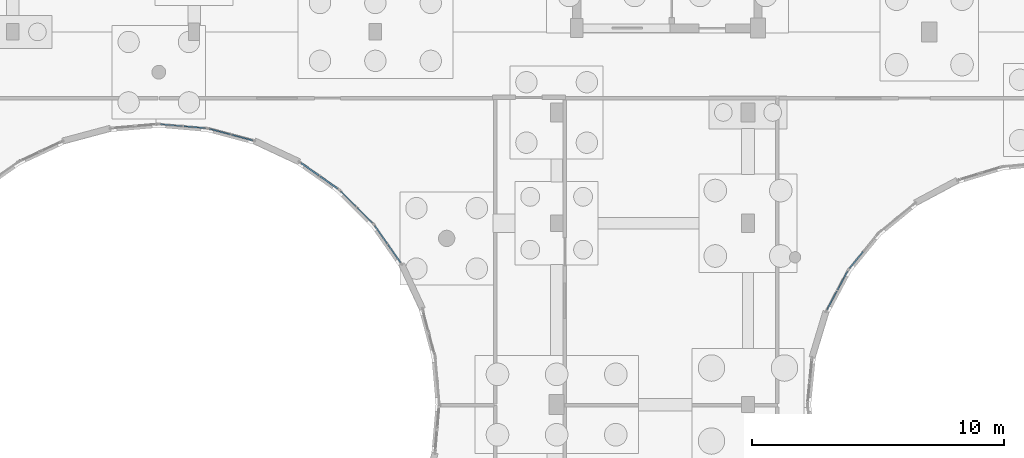
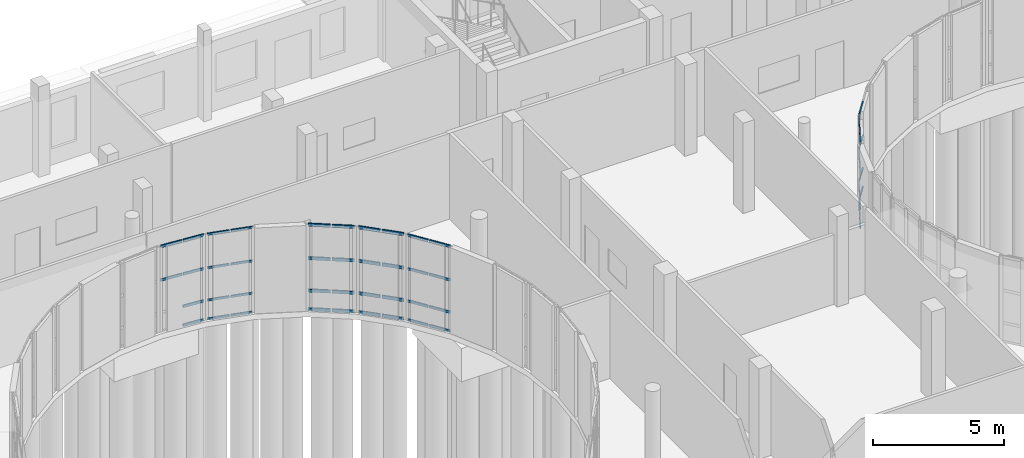
# One storey, part 45 of 93: 50 members, 7 elements without a shape of their own.
"""IFC4 building model written with IfcOpenShell, lengths in metres."""

from ifc_helpers import new_model, si_unit, direction, frame, origin, origin_2d, place, context, subcontext, project, spatial, hollow_rectangle, extrude, material, layer, layer_set, material_profile, profile_set, type_object, element, aggregate, save


model = new_model("IFC4")

# Units and contexts
model_context = context("Model", 3, precision=1e-05, world=origin(), true_north=direction((0.0, 1.0)))
body_context = subcontext(model_context, "Body", "Model", "MODEL_VIEW")
ifc_project = project(units=[si_unit("LENGTHUNIT", "METRE"), si_unit("AREAUNIT", "SQUARE_METRE"), si_unit("VOLUMEUNIT", "CUBIC_METRE"), si_unit("PLANEANGLEUNIT", "RADIAN"), si_unit("MASSUNIT", "GRAM", prefix="KILO")], contexts=[model_context])

# Site, building, storey
site_placement = place(None, origin())
site = spatial("IfcSite", under=ifc_project, at=site_placement, CompositionType="ELEMENT")
building_placement = place(site_placement, origin())
building = spatial("IfcBuilding", under=site, at=building_placement, Name="Kelanivale Promenade Academy", CompositionType="ELEMENT")
storey_placement = place(building_placement, origin())
storey = spatial("IfcBuildingStorey", under=building, at=storey_placement, Name="L00", CompositionType="ELEMENT", Elevation=0.0)

# Curtain wall, members
ifc_material_1 = material(Name="Bronze anodised aluminium and solar-control low-E glass", Category="aluminium")
ifc_layer_1 = layer(ifc_material_1, 0.159912109375)
ifc_layer_set_1 = layer_set([ifc_layer_1], Name="Bronze anodised aluminium and solar-control low-E glass")
curtain_wall_type_1 = type_object("IfcCurtainWallType", Name="CW-09 Curtain Wall 1650mm Module", PredefinedType="USERDEFINED", material=ifc_layer_set_1)
curtain_wall_1_placement = place(storey_placement, origin())
curtain_wall_1 = element("IfcCurtainWall", 1, at=curtain_wall_1_placement, inside=storey, type_object=curtain_wall_type_1, Name="L00 courtyard curtain wall CW-09", ObjectType="UNITISED GLAZING", PredefinedType="USERDEFINED")
ifc_material_2 = material(Name="Bronze anodised aluminium EN AW-6063 T6", Category="aluminium")
ifc_material_profile_1 = material_profile(ifc_material_2, hollow_rectangle(XDim=0.050048828125, YDim=0.10009765625, WallThickness=0.0029296875, at=origin_2d()), Name="ALU 50x100x3.0")
ifc_profile_set_1 = profile_set([ifc_material_profile_1], Name="Bronze anodised aluminium EN AW-6063 T6")
member_type_1 = type_object("IfcMemberType", Name="CWT-01 ALU 50x100x3.0", PredefinedType="USERDEFINED", material=ifc_profile_set_1)
member_1_placement = place(storey_placement, frame((91.364501953125, 62.86376953125, 0.02490234375), z_axis=(-0.634169827677, -0.773193785324, 0.0), x_axis=(0.773193785324, -0.634169827677, 0.0)))
member_1 = element("IfcMember", 2, at=member_1_placement, type_object=member_type_1, Name="CW-09 transom 2.1", ObjectType="TRANSOM", PredefinedType="USERDEFINED", context=body_context, shape_type="SweptSolid", body=[
    extrude(hollow_rectangle(XDim=0.050048828125, YDim=0.10009765625, WallThickness=0.0029296875, at=origin_2d()), origin(), (0.0, 0.0, 1.0), 0.841064453125),
])
member_2_placement = place(storey_placement, frame((91.364501953125, 62.86376953125, 0.89990234375), z_axis=(-0.634169827677, -0.773193785324, 0.0), x_axis=(0.773193785324, -0.634169827677, 0.0)))
member_2 = element("IfcMember", 3, at=member_2_placement, type_object=member_type_1, Name="CW-09 transom 2.2", ObjectType="TRANSOM", PredefinedType="USERDEFINED", context=body_context, shape_type="SweptSolid", body=[
    extrude(hollow_rectangle(XDim=0.050048828125, YDim=0.10009765625, WallThickness=0.0029296875, at=origin_2d()), origin(), (0.0, 0.0, 1.0), 0.841064453125),
])
member_3_placement = place(storey_placement, frame((91.364501953125, 62.86376953125, 2.39990234375), z_axis=(-0.634169827677, -0.773193785324, 0.0), x_axis=(0.773193785324, -0.634169827677, 0.0)))
member_3 = element("IfcMember", 4, at=member_3_placement, type_object=member_type_1, Name="CW-09 transom 2.3", ObjectType="TRANSOM", PredefinedType="USERDEFINED", context=body_context, shape_type="SweptSolid", body=[
    extrude(hollow_rectangle(XDim=0.050048828125, YDim=0.10009765625, WallThickness=0.0029296875, at=origin_2d()), origin(), (0.0, 0.0, 1.0), 0.841064453125),
])
member_4_placement = place(storey_placement, frame((91.364501953125, 62.86376953125, 3.955078125), z_axis=(-0.634169827677, -0.773193785324, 0.0), x_axis=(0.773193785324, -0.634169827677, 0.0)))
member_4 = element("IfcMember", 5, at=member_4_placement, type_object=member_type_1, Name="CW-09 transom 2.4", ObjectType="TRANSOM", PredefinedType="USERDEFINED", context=body_context, shape_type="SweptSolid", body=[
    extrude(hollow_rectangle(XDim=0.050048828125, YDim=0.10009765625, WallThickness=0.0029296875, at=origin_2d()), origin(), (0.0, 0.0, 1.0), 0.841064453125),
])
aggregate(curtain_wall_1, [member_1, member_2, member_3, member_4])

ifc_layer_2 = layer(ifc_material_1, 0.179931640625)
ifc_layer_set_2 = layer_set([ifc_layer_2], Name="Bronze anodised aluminium and solar-control low-E glass")
curtain_wall_type_2 = type_object("IfcCurtainWallType", Name="CW-05 Curtain Wall 1950mm Module", PredefinedType="USERDEFINED", material=ifc_layer_set_2)
curtain_wall_2_placement = place(storey_placement, origin())
curtain_wall_2 = element("IfcCurtainWall", 6, at=curtain_wall_2_placement, inside=storey, type_object=curtain_wall_type_2, Name="L00 courtyard curtain wall CW-05", ObjectType="UNITISED GLAZING", PredefinedType="USERDEFINED")
member_5_placement = place(storey_placement, frame((67.1259765625, 67.29150390625, 0.02490234375), z_axis=(-0.966008746817, 0.258509382951, 0.0), x_axis=(-0.258509382951, -0.966008746817, 0.0)))
member_5 = element("IfcMember", 7, at=member_5_placement, type_object=member_type_1, Name="CW-05 transom 1.1", ObjectType="TRANSOM", PredefinedType="USERDEFINED", context=body_context, shape_type="SweptSolid", body=[
    extrude(hollow_rectangle(XDim=0.050048828125, YDim=0.10009765625, WallThickness=0.0029296875, at=origin_2d()), origin(), (0.0, 0.0, 1.0), 0.861328125),
])
member_6_placement = place(storey_placement, frame((67.1259765625, 67.29150390625, 0.89990234375), z_axis=(-0.966008746817, 0.258509382951, 0.0), x_axis=(-0.258509382951, -0.966008746817, 0.0)))
member_6 = element("IfcMember", 8, at=member_6_placement, type_object=member_type_1, Name="CW-05 transom 1.2", ObjectType="TRANSOM", PredefinedType="USERDEFINED", context=body_context, shape_type="SweptSolid", body=[
    extrude(hollow_rectangle(XDim=0.050048828125, YDim=0.10009765625, WallThickness=0.0029296875, at=origin_2d()), origin(), (0.0, 0.0, 1.0), 0.861328125),
])
member_7_placement = place(storey_placement, frame((67.1259765625, 67.29150390625, 2.39990234375), z_axis=(-0.966008746817, 0.258509382951, 0.0), x_axis=(-0.258509382951, -0.966008746817, 0.0)))
member_7 = element("IfcMember", 9, at=member_7_placement, type_object=member_type_1, Name="CW-05 transom 1.3", ObjectType="TRANSOM", PredefinedType="USERDEFINED", context=body_context, shape_type="SweptSolid", body=[
    extrude(hollow_rectangle(XDim=0.050048828125, YDim=0.10009765625, WallThickness=0.0029296875, at=origin_2d()), origin(), (0.0, 0.0, 1.0), 0.861328125),
])
member_8_placement = place(storey_placement, frame((67.1259765625, 67.29150390625, 3.955078125), z_axis=(-0.966008746817, 0.258509382951, 0.0), x_axis=(-0.258509382951, -0.966008746817, 0.0)))
member_8 = element("IfcMember", 10, at=member_8_placement, type_object=member_type_1, Name="CW-05 transom 1.4", ObjectType="TRANSOM", PredefinedType="USERDEFINED", context=body_context, shape_type="SweptSolid", body=[
    extrude(hollow_rectangle(XDim=0.050048828125, YDim=0.10009765625, WallThickness=0.0029296875, at=origin_2d()), origin(), (0.0, 0.0, 1.0), 0.861328125),
])
member_9_placement = place(storey_placement, frame((66.236083984375, 67.52978515625, 0.02490234375), z_axis=(-0.966008746817, 0.258509382951, 0.0), x_axis=(-0.258509382951, -0.966008746817, 0.0)))
member_9 = element("IfcMember", 11, at=member_9_placement, type_object=member_type_1, Name="CW-05 transom 2.1", ObjectType="TRANSOM", PredefinedType="USERDEFINED", context=body_context, shape_type="SweptSolid", body=[
    extrude(hollow_rectangle(XDim=0.050048828125, YDim=0.10009765625, WallThickness=0.0029296875, at=origin_2d()), origin(), (0.0, 0.0, 1.0), 0.861328125),
])
member_10_placement = place(storey_placement, frame((66.236083984375, 67.52978515625, 0.89990234375), z_axis=(-0.966008746817, 0.258509382951, 0.0), x_axis=(-0.258509382951, -0.966008746817, 0.0)))
member_10 = element("IfcMember", 12, at=member_10_placement, type_object=member_type_1, Name="CW-05 transom 2.2", ObjectType="TRANSOM", PredefinedType="USERDEFINED", context=body_context, shape_type="SweptSolid", body=[
    extrude(hollow_rectangle(XDim=0.050048828125, YDim=0.10009765625, WallThickness=0.0029296875, at=origin_2d()), origin(), (0.0, 0.0, 1.0), 0.861328125),
])
member_11_placement = place(storey_placement, frame((66.236083984375, 67.52978515625, 2.39990234375), z_axis=(-0.966008746817, 0.258509382951, 0.0), x_axis=(-0.258509382951, -0.966008746817, 0.0)))
member_11 = element("IfcMember", 13, at=member_11_placement, type_object=member_type_1, Name="CW-05 transom 2.3", ObjectType="TRANSOM", PredefinedType="USERDEFINED", context=body_context, shape_type="SweptSolid", body=[
    extrude(hollow_rectangle(XDim=0.050048828125, YDim=0.10009765625, WallThickness=0.0029296875, at=origin_2d()), origin(), (0.0, 0.0, 1.0), 0.861328125),
])
member_12_placement = place(storey_placement, frame((66.236083984375, 67.52978515625, 3.955078125), z_axis=(-0.966008746817, 0.258509382951, 0.0), x_axis=(-0.258509382951, -0.966008746817, 0.0)))
member_12 = element("IfcMember", 14, at=member_12_placement, type_object=member_type_1, Name="CW-05 transom 2.4", ObjectType="TRANSOM", PredefinedType="USERDEFINED", context=body_context, shape_type="SweptSolid", body=[
    extrude(hollow_rectangle(XDim=0.050048828125, YDim=0.10009765625, WallThickness=0.0029296875, at=origin_2d()), origin(), (0.0, 0.0, 1.0), 0.861328125),
])
aggregate(curtain_wall_2, [member_5, member_6, member_7, member_8, member_9, member_10, member_11, member_12])

ifc_layer_3 = layer(ifc_material_1, 0.169921875)
ifc_layer_set_3 = layer_set([ifc_layer_3], Name="Bronze anodised aluminium and solar-control low-E glass")
curtain_wall_type_3 = type_object("IfcCurtainWallType", Name="CW-10 Curtain Wall 1800mm Module", PredefinedType="USERDEFINED", material=ifc_layer_set_3)
curtain_wall_3_placement = place(storey_placement, origin())
curtain_wall_3 = element("IfcCurtainWall", 15, at=curtain_wall_3_placement, inside=storey, type_object=curtain_wall_type_3, Name="L00 courtyard curtain wall CW-10", ObjectType="UNITISED GLAZING", PredefinedType="USERDEFINED")
ifc_material_profile_2 = material_profile(ifc_material_2, hollow_rectangle(XDim=0.050048828125, YDim=0.1201171875, WallThickness=0.0029296875, at=origin_2d()), Name="ALU 50x120x3.0")
ifc_profile_set_2 = profile_set([ifc_material_profile_2], Name="Bronze anodised aluminium EN AW-6063 T6")
member_type_2 = type_object("IfcMemberType", Name="CWT-02 ALU 50x120x3.0", PredefinedType="USERDEFINED", material=ifc_profile_set_2)
member_13_placement = place(storey_placement, frame((90.749755859375, 62.091064453125, 0.02490234375), z_axis=(-0.471286980873, -0.881979921347, 0.0), x_axis=(0.881979921347, -0.471286980873, 0.0)))
member_13 = element("IfcMember", 16, at=member_13_placement, type_object=member_type_2, Name="CW-10 transom 1.1", ObjectType="TRANSOM", PredefinedType="USERDEFINED", context=body_context, shape_type="SweptSolid", body=[
    extrude(hollow_rectangle(XDim=0.050048828125, YDim=0.1201171875, WallThickness=0.0029296875, at=origin_2d()), origin(), (0.0, 0.0, 1.0), 0.833984375),
])
member_14_placement = place(storey_placement, frame((90.749755859375, 62.091064453125, 0.89990234375), z_axis=(-0.471286980873, -0.881979921347, 0.0), x_axis=(0.881979921347, -0.471286980873, 0.0)))
member_14 = element("IfcMember", 17, at=member_14_placement, type_object=member_type_2, Name="CW-10 transom 1.2", ObjectType="TRANSOM", PredefinedType="USERDEFINED", context=body_context, shape_type="SweptSolid", body=[
    extrude(hollow_rectangle(XDim=0.050048828125, YDim=0.1201171875, WallThickness=0.0029296875, at=origin_2d()), origin(), (0.0, 0.0, 1.0), 0.833984375),
])
member_15_placement = place(storey_placement, frame((90.749755859375, 62.091064453125, 2.39990234375), z_axis=(-0.471286980873, -0.881979921347, 0.0), x_axis=(0.881979921347, -0.471286980873, 0.0)))
member_15 = element("IfcMember", 18, at=member_15_placement, type_object=member_type_2, Name="CW-10 transom 1.3", ObjectType="TRANSOM", PredefinedType="USERDEFINED", context=body_context, shape_type="SweptSolid", body=[
    extrude(hollow_rectangle(XDim=0.050048828125, YDim=0.1201171875, WallThickness=0.0029296875, at=origin_2d()), origin(), (0.0, 0.0, 1.0), 0.833984375),
])
member_16_placement = place(storey_placement, frame((90.749755859375, 62.091064453125, 3.955078125), z_axis=(-0.471286980873, -0.881979921347, 0.0), x_axis=(0.881979921347, -0.471286980873, 0.0)))
member_16 = element("IfcMember", 19, at=member_16_placement, type_object=member_type_2, Name="CW-10 transom 1.4", ObjectType="TRANSOM", PredefinedType="USERDEFINED", context=body_context, shape_type="SweptSolid", body=[
    extrude(hollow_rectangle(XDim=0.050048828125, YDim=0.1201171875, WallThickness=0.0029296875, at=origin_2d()), origin(), (0.0, 0.0, 1.0), 0.833984375),
])
member_17_placement = place(storey_placement, frame((90.328369140625, 61.302490234375, 0.02490234375), z_axis=(-0.471286980873, -0.881979921347, 0.0), x_axis=(0.881979921347, -0.471286980873, 0.0)))
member_17 = element("IfcMember", 20, at=member_17_placement, type_object=member_type_2, Name="CW-10 transom 2.1", ObjectType="TRANSOM", PredefinedType="USERDEFINED", context=body_context, shape_type="SweptSolid", body=[
    extrude(hollow_rectangle(XDim=0.050048828125, YDim=0.1201171875, WallThickness=0.0029296875, at=origin_2d()), origin(), (0.0, 0.0, 1.0), 0.833984375),
])
member_18_placement = place(storey_placement, frame((90.328369140625, 61.302490234375, 0.89990234375), z_axis=(-0.471286980873, -0.881979921347, 0.0), x_axis=(0.881979921347, -0.471286980873, 0.0)))
member_18 = element("IfcMember", 21, at=member_18_placement, type_object=member_type_2, Name="CW-10 transom 2.2", ObjectType="TRANSOM", PredefinedType="USERDEFINED", context=body_context, shape_type="SweptSolid", body=[
    extrude(hollow_rectangle(XDim=0.050048828125, YDim=0.1201171875, WallThickness=0.0029296875, at=origin_2d()), origin(), (0.0, 0.0, 1.0), 0.833984375),
])
member_19_placement = place(storey_placement, frame((90.328369140625, 61.302490234375, 2.39990234375), z_axis=(-0.471286980873, -0.881979921347, 0.0), x_axis=(0.881979921347, -0.471286980873, 0.0)))
member_19 = element("IfcMember", 22, at=member_19_placement, type_object=member_type_2, Name="CW-10 transom 2.3", ObjectType="TRANSOM", PredefinedType="USERDEFINED", context=body_context, shape_type="SweptSolid", body=[
    extrude(hollow_rectangle(XDim=0.050048828125, YDim=0.1201171875, WallThickness=0.0029296875, at=origin_2d()), origin(), (0.0, 0.0, 1.0), 0.833984375),
])
member_20_placement = place(storey_placement, frame((90.328369140625, 61.302490234375, 3.955078125), z_axis=(-0.471286980873, -0.881979921347, 0.0), x_axis=(0.881979921347, -0.471286980873, 0.0)))
member_20 = element("IfcMember", 23, at=member_20_placement, type_object=member_type_2, Name="CW-10 transom 2.4", ObjectType="TRANSOM", PredefinedType="USERDEFINED", context=body_context, shape_type="SweptSolid", body=[
    extrude(hollow_rectangle(XDim=0.050048828125, YDim=0.1201171875, WallThickness=0.0029296875, at=origin_2d()), origin(), (0.0, 0.0, 1.0), 0.833984375),
])
aggregate(curtain_wall_3, [member_13, member_14, member_15, member_16, member_17, member_18, member_19, member_20])

ifc_layer_4 = layer(ifc_material_1, 0.179931640625)
ifc_layer_set_4 = layer_set([ifc_layer_4], Name="Bronze anodised aluminium and solar-control low-E glass")
curtain_wall_type_4 = type_object("IfcCurtainWallType", Name="CW-02 Curtain Wall 1500mm Module", PredefinedType="USERDEFINED", material=ifc_layer_set_4)
curtain_wall_4_placement = place(storey_placement, origin())
curtain_wall_4 = element("IfcCurtainWall", 24, at=curtain_wall_4_placement, inside=storey, type_object=curtain_wall_type_4, Name="L00 courtyard curtain wall CW-02", ObjectType="UNITISED GLAZING", PredefinedType="USERDEFINED")
member_21_placement = place(storey_placement, frame((72.99755859375, 62.441162109375, 0.02490234375), z_axis=(-0.573329193297, 0.819325110144, 0.0), x_axis=(-0.819325110144, -0.573329193297, 0.0)))
member_21 = element("IfcMember", 25, at=member_21_placement, type_object=member_type_2, Name="CW-02 transom 1.1", ObjectType="TRANSOM", PredefinedType="USERDEFINED", context=body_context, shape_type="SweptSolid", body=[
    extrude(hollow_rectangle(XDim=0.050048828125, YDim=0.1201171875, WallThickness=0.0029296875, at=origin_2d()), origin(), (0.0, 0.0, 1.0), 0.861572265625),
])
member_22_placement = place(storey_placement, frame((72.99755859375, 62.441162109375, 0.89990234375), z_axis=(-0.573329193297, 0.819325110144, 0.0), x_axis=(-0.819325110144, -0.573329193297, 0.0)))
member_22 = element("IfcMember", 26, at=member_22_placement, type_object=member_type_2, Name="CW-02 transom 1.2", ObjectType="TRANSOM", PredefinedType="USERDEFINED", context=body_context, shape_type="SweptSolid", body=[
    extrude(hollow_rectangle(XDim=0.050048828125, YDim=0.1201171875, WallThickness=0.0029296875, at=origin_2d()), origin(), (0.0, 0.0, 1.0), 0.861572265625),
])
member_23_placement = place(storey_placement, frame((72.99755859375, 62.441162109375, 2.39990234375), z_axis=(-0.573329193297, 0.819325110144, 0.0), x_axis=(-0.819325110144, -0.573329193297, 0.0)))
member_23 = element("IfcMember", 27, at=member_23_placement, type_object=member_type_2, Name="CW-02 transom 1.3", ObjectType="TRANSOM", PredefinedType="USERDEFINED", context=body_context, shape_type="SweptSolid", body=[
    extrude(hollow_rectangle(XDim=0.050048828125, YDim=0.1201171875, WallThickness=0.0029296875, at=origin_2d()), origin(), (0.0, 0.0, 1.0), 0.861572265625),
])
member_24_placement = place(storey_placement, frame((72.99755859375, 62.441162109375, 3.955078125), z_axis=(-0.573329193297, 0.819325110144, 0.0), x_axis=(-0.819325110144, -0.573329193297, 0.0)))
member_24 = element("IfcMember", 28, at=member_24_placement, type_object=member_type_2, Name="CW-02 transom 1.4", ObjectType="TRANSOM", PredefinedType="USERDEFINED", context=body_context, shape_type="SweptSolid", body=[
    extrude(hollow_rectangle(XDim=0.050048828125, YDim=0.1201171875, WallThickness=0.0029296875, at=origin_2d()), origin(), (0.0, 0.0, 1.0), 0.861572265625),
])
member_25_placement = place(storey_placement, frame((72.46923828125, 63.196044921875, 0.02490234375), z_axis=(-0.573329193297, 0.819325110144, 0.0), x_axis=(-0.819325110144, -0.573329193297, 0.0)))
member_25 = element("IfcMember", 29, at=member_25_placement, type_object=member_type_2, Name="CW-02 transom 2.1", ObjectType="TRANSOM", PredefinedType="USERDEFINED", context=body_context, shape_type="SweptSolid", body=[
    extrude(hollow_rectangle(XDim=0.050048828125, YDim=0.1201171875, WallThickness=0.0029296875, at=origin_2d()), origin(), (0.0, 0.0, 1.0), 0.861572265625),
])
member_26_placement = place(storey_placement, frame((72.46923828125, 63.196044921875, 0.89990234375), z_axis=(-0.573329193297, 0.819325110144, 0.0), x_axis=(-0.819325110144, -0.573329193297, 0.0)))
member_26 = element("IfcMember", 30, at=member_26_placement, type_object=member_type_2, Name="CW-02 transom 2.2", ObjectType="TRANSOM", PredefinedType="USERDEFINED", context=body_context, shape_type="SweptSolid", body=[
    extrude(hollow_rectangle(XDim=0.050048828125, YDim=0.1201171875, WallThickness=0.0029296875, at=origin_2d()), origin(), (0.0, 0.0, 1.0), 0.861572265625),
])
member_27_placement = place(storey_placement, frame((72.46923828125, 63.196044921875, 2.39990234375), z_axis=(-0.573329193297, 0.819325110144, 0.0), x_axis=(-0.819325110144, -0.573329193297, 0.0)))
member_27 = element("IfcMember", 31, at=member_27_placement, type_object=member_type_2, Name="CW-02 transom 2.3", ObjectType="TRANSOM", PredefinedType="USERDEFINED", context=body_context, shape_type="SweptSolid", body=[
    extrude(hollow_rectangle(XDim=0.050048828125, YDim=0.1201171875, WallThickness=0.0029296875, at=origin_2d()), origin(), (0.0, 0.0, 1.0), 0.861572265625),
])
member_28_placement = place(storey_placement, frame((72.46923828125, 63.196044921875, 3.955078125), z_axis=(-0.573329193297, 0.819325110144, 0.0), x_axis=(-0.819325110144, -0.573329193297, 0.0)))
member_28 = element("IfcMember", 32, at=member_28_placement, type_object=member_type_2, Name="CW-02 transom 2.4", ObjectType="TRANSOM", PredefinedType="USERDEFINED", context=body_context, shape_type="SweptSolid", body=[
    extrude(hollow_rectangle(XDim=0.050048828125, YDim=0.1201171875, WallThickness=0.0029296875, at=origin_2d()), origin(), (0.0, 0.0, 1.0), 0.861572265625),
])
aggregate(curtain_wall_4, [member_21, member_22, member_23, member_24, member_25, member_26, member_27, member_28])

ifc_layer_5 = layer(ifc_material_1, 0.159912109375)
ifc_layer_set_5 = layer_set([ifc_layer_5], Name="Bronze anodised aluminium and solar-control low-E glass")
curtain_wall_type_5 = type_object("IfcCurtainWallType", Name="CW-06 Curtain Wall 1200mm Module", PredefinedType="USERDEFINED", material=ifc_layer_set_5)
curtain_wall_5_placement = place(storey_placement, origin())
curtain_wall_5 = element("IfcCurtainWall", 33, at=curtain_wall_5_placement, inside=storey, type_object=curtain_wall_type_5, Name="L00 courtyard curtain wall CW-06", ObjectType="UNITISED GLAZING", PredefinedType="USERDEFINED")
member_29_placement = place(storey_placement, frame((65.26220703125, 67.77734375, 0.02490234375), z_axis=(-0.996220520594, 0.086860084894, 0.0), x_axis=(-0.086860084894, -0.996220520594, 0.0)))
member_29 = element("IfcMember", 34, at=member_29_placement, type_object=member_type_2, Name="CW-06 transom 1.1", ObjectType="TRANSOM", PredefinedType="USERDEFINED", context=body_context, shape_type="SweptSolid", body=[
    extrude(hollow_rectangle(XDim=0.050048828125, YDim=0.1201171875, WallThickness=0.0029296875, at=origin_2d()), origin(), (0.0, 0.0, 1.0), 0.868408203125),
])
member_30_placement = place(storey_placement, frame((65.26220703125, 67.77734375, 0.89990234375), z_axis=(-0.996220520594, 0.086860084894, 0.0), x_axis=(-0.086860084894, -0.996220520594, 0.0)))
member_30 = element("IfcMember", 35, at=member_30_placement, type_object=member_type_2, Name="CW-06 transom 1.2", ObjectType="TRANSOM", PredefinedType="USERDEFINED", context=body_context, shape_type="SweptSolid", body=[
    extrude(hollow_rectangle(XDim=0.050048828125, YDim=0.1201171875, WallThickness=0.0029296875, at=origin_2d()), origin(), (0.0, 0.0, 1.0), 0.868408203125),
])
member_31_placement = place(storey_placement, frame((65.26220703125, 67.77734375, 2.39990234375), z_axis=(-0.996220520594, 0.086860084894, 0.0), x_axis=(-0.086860084894, -0.996220520594, 0.0)))
member_31 = element("IfcMember", 36, at=member_31_placement, type_object=member_type_2, Name="CW-06 transom 1.3", ObjectType="TRANSOM", PredefinedType="USERDEFINED", context=body_context, shape_type="SweptSolid", body=[
    extrude(hollow_rectangle(XDim=0.050048828125, YDim=0.1201171875, WallThickness=0.0029296875, at=origin_2d()), origin(), (0.0, 0.0, 1.0), 0.868408203125),
])
member_32_placement = place(storey_placement, frame((65.26220703125, 67.77734375, 3.955078125), z_axis=(-0.996220520594, 0.086860084894, 0.0), x_axis=(-0.086860084894, -0.996220520594, 0.0)))
member_32 = element("IfcMember", 37, at=member_32_placement, type_object=member_type_2, Name="CW-06 transom 1.4", ObjectType="TRANSOM", PredefinedType="USERDEFINED", context=body_context, shape_type="SweptSolid", body=[
    extrude(hollow_rectangle(XDim=0.050048828125, YDim=0.1201171875, WallThickness=0.0029296875, at=origin_2d()), origin(), (0.0, 0.0, 1.0), 0.868408203125),
])
member_33_placement = place(storey_placement, frame((64.337158203125, 67.858154296875, 2.39990234375), z_axis=(-0.996198291496, 0.087114660187, 0.0), x_axis=(-0.087114660187, -0.996198291496, 0.0)))
member_33 = element("IfcMember", 38, at=member_33_placement, type_object=member_type_2, Name="CW-06 transom 2.3", ObjectType="TRANSOM", PredefinedType="USERDEFINED", context=body_context, shape_type="SweptSolid", body=[
    extrude(hollow_rectangle(XDim=0.050048828125, YDim=0.1201171875, WallThickness=0.0029296875, at=origin_2d()), origin(), (0.0, 0.0, 1.0), 0.868896484375),
])
member_34_placement = place(storey_placement, frame((64.337158203125, 67.858154296875, 3.955078125), z_axis=(-0.996198291496, 0.087114660187, 0.0), x_axis=(-0.087114660187, -0.996198291496, 0.0)))
member_34 = element("IfcMember", 39, at=member_34_placement, type_object=member_type_2, Name="CW-06 transom 2.4", ObjectType="TRANSOM", PredefinedType="USERDEFINED", context=body_context, shape_type="SweptSolid", body=[
    extrude(hollow_rectangle(XDim=0.050048828125, YDim=0.1201171875, WallThickness=0.0029296875, at=origin_2d()), origin(), (0.0, 0.0, 1.0), 0.868896484375),
])
aggregate(curtain_wall_5, [member_29, member_30, member_31, member_32, member_33, member_34])

ifc_layer_6 = layer(ifc_material_1, 0.159912109375)
ifc_layer_set_6 = layer_set([ifc_layer_6], Name="Bronze anodised aluminium and solar-control low-E glass")
curtain_wall_type_6 = type_object("IfcCurtainWallType", Name="CW-03 Curtain Wall 1650mm Module", PredefinedType="USERDEFINED", material=ifc_layer_set_6)
curtain_wall_6_placement = place(storey_placement, origin())
curtain_wall_6 = element("IfcCurtainWall", 40, at=curtain_wall_6_placement, inside=storey, type_object=curtain_wall_type_6, Name="L00 courtyard curtain wall CW-03", ObjectType="UNITISED GLAZING", PredefinedType="USERDEFINED")
ifc_material_profile_3 = material_profile(ifc_material_2, hollow_rectangle(XDim=0.050048828125, YDim=0.14990234375, WallThickness=0.00341796875, at=origin_2d()), Name="ALU 50x150x3.5")
ifc_profile_set_3 = profile_set([ifc_material_profile_3], Name="Bronze anodised aluminium EN AW-6063 T6")
member_type_3 = type_object("IfcMemberType", Name="CWT-03 ALU 50x150x3.5", PredefinedType="USERDEFINED", material=ifc_profile_set_3)
member_35_placement = place(storey_placement, frame((71.879150390625, 64.015869140625, 0.02490234375), z_axis=(-0.707106781187, 0.707106781187, 0.0), x_axis=(-0.707106781187, -0.707106781187, 0.0)))
member_35 = element("IfcMember", 41, at=member_35_placement, type_object=member_type_3, Name="CW-03 transom 1.1", ObjectType="TRANSOM", PredefinedType="USERDEFINED", context=body_context, shape_type="SweptSolid", body=[
    extrude(hollow_rectangle(XDim=0.050048828125, YDim=0.14990234375, WallThickness=0.00341796875, at=origin_2d()), origin(), (0.0, 0.0, 1.0), 0.86083984375),
])
member_36_placement = place(storey_placement, frame((71.879150390625, 64.015869140625, 0.89990234375), z_axis=(-0.707106781187, 0.707106781187, 0.0), x_axis=(-0.707106781187, -0.707106781187, 0.0)))
member_36 = element("IfcMember", 42, at=member_36_placement, type_object=member_type_3, Name="CW-03 transom 1.2", ObjectType="TRANSOM", PredefinedType="USERDEFINED", context=body_context, shape_type="SweptSolid", body=[
    extrude(hollow_rectangle(XDim=0.050048828125, YDim=0.14990234375, WallThickness=0.00341796875, at=origin_2d()), origin(), (0.0, 0.0, 1.0), 0.86083984375),
])
member_37_placement = place(storey_placement, frame((71.879150390625, 64.015869140625, 2.39990234375), z_axis=(-0.707106781187, 0.707106781187, 0.0), x_axis=(-0.707106781187, -0.707106781187, 0.0)))
member_37 = element("IfcMember", 43, at=member_37_placement, type_object=member_type_3, Name="CW-03 transom 1.3", ObjectType="TRANSOM", PredefinedType="USERDEFINED", context=body_context, shape_type="SweptSolid", body=[
    extrude(hollow_rectangle(XDim=0.050048828125, YDim=0.14990234375, WallThickness=0.00341796875, at=origin_2d()), origin(), (0.0, 0.0, 1.0), 0.86083984375),
])
member_38_placement = place(storey_placement, frame((71.879150390625, 64.015869140625, 3.955078125), z_axis=(-0.707106781187, 0.707106781187, 0.0), x_axis=(-0.707106781187, -0.707106781187, 0.0)))
member_38 = element("IfcMember", 44, at=member_38_placement, type_object=member_type_3, Name="CW-03 transom 1.4", ObjectType="TRANSOM", PredefinedType="USERDEFINED", context=body_context, shape_type="SweptSolid", body=[
    extrude(hollow_rectangle(XDim=0.050048828125, YDim=0.14990234375, WallThickness=0.00341796875, at=origin_2d()), origin(), (0.0, 0.0, 1.0), 0.86083984375),
])
member_39_placement = place(storey_placement, frame((71.224609375, 64.67041015625, 0.02490234375), z_axis=(-0.707106781187, 0.707106781187, 0.0), x_axis=(-0.707106781187, -0.707106781187, 0.0)))
member_39 = element("IfcMember", 45, at=member_39_placement, type_object=member_type_3, Name="CW-03 transom 2.1", ObjectType="TRANSOM", PredefinedType="USERDEFINED", context=body_context, shape_type="SweptSolid", body=[
    extrude(hollow_rectangle(XDim=0.050048828125, YDim=0.14990234375, WallThickness=0.00341796875, at=origin_2d()), origin(), (0.0, 0.0, 1.0), 0.86083984375),
])
member_40_placement = place(storey_placement, frame((71.224609375, 64.67041015625, 0.89990234375), z_axis=(-0.707106781187, 0.707106781187, 0.0), x_axis=(-0.707106781187, -0.707106781187, 0.0)))
member_40 = element("IfcMember", 46, at=member_40_placement, type_object=member_type_3, Name="CW-03 transom 2.2", ObjectType="TRANSOM", PredefinedType="USERDEFINED", context=body_context, shape_type="SweptSolid", body=[
    extrude(hollow_rectangle(XDim=0.050048828125, YDim=0.14990234375, WallThickness=0.00341796875, at=origin_2d()), origin(), (0.0, 0.0, 1.0), 0.86083984375),
])
member_41_placement = place(storey_placement, frame((71.224609375, 64.67041015625, 2.39990234375), z_axis=(-0.707106781187, 0.707106781187, 0.0), x_axis=(-0.707106781187, -0.707106781187, 0.0)))
member_41 = element("IfcMember", 47, at=member_41_placement, type_object=member_type_3, Name="CW-03 transom 2.3", ObjectType="TRANSOM", PredefinedType="USERDEFINED", context=body_context, shape_type="SweptSolid", body=[
    extrude(hollow_rectangle(XDim=0.050048828125, YDim=0.14990234375, WallThickness=0.00341796875, at=origin_2d()), origin(), (0.0, 0.0, 1.0), 0.86083984375),
])
member_42_placement = place(storey_placement, frame((71.224609375, 64.67041015625, 3.955078125), z_axis=(-0.707106781187, 0.707106781187, 0.0), x_axis=(-0.707106781187, -0.707106781187, 0.0)))
member_42 = element("IfcMember", 48, at=member_42_placement, type_object=member_type_3, Name="CW-03 transom 2.4", ObjectType="TRANSOM", PredefinedType="USERDEFINED", context=body_context, shape_type="SweptSolid", body=[
    extrude(hollow_rectangle(XDim=0.050048828125, YDim=0.14990234375, WallThickness=0.00341796875, at=origin_2d()), origin(), (0.0, 0.0, 1.0), 0.86083984375),
])
aggregate(curtain_wall_6, [member_35, member_36, member_37, member_38, member_39, member_40, member_41, member_42])

ifc_layer_7 = layer(ifc_material_1, 0.169921875)
ifc_layer_set_7 = layer_set([ifc_layer_7], Name="Bronze anodised aluminium and solar-control low-E glass")
curtain_wall_type_7 = type_object("IfcCurtainWallType", Name="CW-04 Curtain Wall 1800mm Module", PredefinedType="USERDEFINED", material=ifc_layer_set_7)
curtain_wall_7_placement = place(storey_placement, origin())
curtain_wall_7 = element("IfcCurtainWall", 49, at=curtain_wall_7_placement, inside=storey, type_object=curtain_wall_type_7, Name="L00 courtyard curtain wall CW-04", ObjectType="UNITISED GLAZING", PredefinedType="USERDEFINED")
ifc_material_profile_4 = material_profile(ifc_material_2, hollow_rectangle(XDim=0.06005859375, YDim=0.139892578125, WallThickness=0.00341796875, at=origin_2d()), Name="ALU 60x140x3.5")
ifc_profile_set_4 = profile_set([ifc_material_profile_4], Name="Bronze anodised aluminium EN AW-6063 T6")
member_type_4 = type_object("IfcMemberType", Name="CWT-04 ALU 60x140x3.5", PredefinedType="USERDEFINED", material=ifc_profile_set_4)
member_43_placement = place(storey_placement, frame((70.497802734375, 65.378173828125, 0.030029296875), z_axis=(-0.819258778425, 0.573423974013, 0.0), x_axis=(-0.573423974013, -0.819258778425, 0.0)))
member_43 = element("IfcMember", 50, at=member_43_placement, type_object=member_type_4, Name="CW-04 transom 1.1", ObjectType="TRANSOM", PredefinedType="USERDEFINED", context=body_context, shape_type="SweptSolid", body=[
    extrude(hollow_rectangle(XDim=0.06005859375, YDim=0.139892578125, WallThickness=0.00341796875, at=origin_2d()), origin(), (0.0, 0.0, 1.0), 0.85400390625),
])
member_44_placement = place(storey_placement, frame((70.497802734375, 65.378173828125, 0.89990234375), z_axis=(-0.819258778425, 0.573423974013, 0.0), x_axis=(-0.573423974013, -0.819258778425, 0.0)))
member_44 = element("IfcMember", 51, at=member_44_placement, type_object=member_type_4, Name="CW-04 transom 1.2", ObjectType="TRANSOM", PredefinedType="USERDEFINED", context=body_context, shape_type="SweptSolid", body=[
    extrude(hollow_rectangle(XDim=0.06005859375, YDim=0.139892578125, WallThickness=0.00341796875, at=origin_2d()), origin(), (0.0, 0.0, 1.0), 0.85400390625),
])
member_45_placement = place(storey_placement, frame((70.497802734375, 65.378173828125, 2.39990234375), z_axis=(-0.819258778425, 0.573423974013, 0.0), x_axis=(-0.573423974013, -0.819258778425, 0.0)))
member_45 = element("IfcMember", 52, at=member_45_placement, type_object=member_type_4, Name="CW-04 transom 1.3", ObjectType="TRANSOM", PredefinedType="USERDEFINED", context=body_context, shape_type="SweptSolid", body=[
    extrude(hollow_rectangle(XDim=0.06005859375, YDim=0.139892578125, WallThickness=0.00341796875, at=origin_2d()), origin(), (0.0, 0.0, 1.0), 0.85400390625),
])
member_46_placement = place(storey_placement, frame((70.497802734375, 65.378173828125, 3.949951171875), z_axis=(-0.819258778425, 0.573423974013, 0.0), x_axis=(-0.573423974013, -0.819258778425, 0.0)))
member_46 = element("IfcMember", 53, at=member_46_placement, type_object=member_type_4, Name="CW-04 transom 1.4", ObjectType="TRANSOM", PredefinedType="USERDEFINED", context=body_context, shape_type="SweptSolid", body=[
    extrude(hollow_rectangle(XDim=0.06005859375, YDim=0.139892578125, WallThickness=0.00341796875, at=origin_2d()), origin(), (0.0, 0.0, 1.0), 0.85400390625),
])
member_47_placement = place(storey_placement, frame((69.744873046875, 65.905029296875, 0.030029296875), z_axis=(-0.819258778425, 0.573423974013, 0.0), x_axis=(-0.573423974013, -0.819258778425, 0.0)))
member_47 = element("IfcMember", 54, at=member_47_placement, type_object=member_type_4, Name="CW-04 transom 2.1", ObjectType="TRANSOM", PredefinedType="USERDEFINED", context=body_context, shape_type="SweptSolid", body=[
    extrude(hollow_rectangle(XDim=0.06005859375, YDim=0.139892578125, WallThickness=0.00341796875, at=origin_2d()), origin(), (0.0, 0.0, 1.0), 0.85400390625),
])
member_48_placement = place(storey_placement, frame((69.744873046875, 65.905029296875, 0.89990234375), z_axis=(-0.819258778425, 0.573423974013, 0.0), x_axis=(-0.573423974013, -0.819258778425, 0.0)))
member_48 = element("IfcMember", 55, at=member_48_placement, type_object=member_type_4, Name="CW-04 transom 2.2", ObjectType="TRANSOM", PredefinedType="USERDEFINED", context=body_context, shape_type="SweptSolid", body=[
    extrude(hollow_rectangle(XDim=0.06005859375, YDim=0.139892578125, WallThickness=0.00341796875, at=origin_2d()), origin(), (0.0, 0.0, 1.0), 0.85400390625),
])
member_49_placement = place(storey_placement, frame((69.744873046875, 65.905029296875, 2.39990234375), z_axis=(-0.819258778425, 0.573423974013, 0.0), x_axis=(-0.573423974013, -0.819258778425, 0.0)))
member_49 = element("IfcMember", 56, at=member_49_placement, type_object=member_type_4, Name="CW-04 transom 2.3", ObjectType="TRANSOM", PredefinedType="USERDEFINED", context=body_context, shape_type="SweptSolid", body=[
    extrude(hollow_rectangle(XDim=0.06005859375, YDim=0.139892578125, WallThickness=0.00341796875, at=origin_2d()), origin(), (0.0, 0.0, 1.0), 0.85400390625),
])
member_50_placement = place(storey_placement, frame((69.744873046875, 65.905029296875, 3.949951171875), z_axis=(-0.819258778425, 0.573423974013, 0.0), x_axis=(-0.573423974013, -0.819258778425, 0.0)))
member_50 = element("IfcMember", 57, at=member_50_placement, type_object=member_type_4, Name="CW-04 transom 2.4", ObjectType="TRANSOM", PredefinedType="USERDEFINED", context=body_context, shape_type="SweptSolid", body=[
    extrude(hollow_rectangle(XDim=0.06005859375, YDim=0.139892578125, WallThickness=0.00341796875, at=origin_2d()), origin(), (0.0, 0.0, 1.0), 0.85400390625),
])
aggregate(curtain_wall_7, [member_43, member_44, member_45, member_46, member_47, member_48, member_49, member_50])

save(model, "model.ifc")
